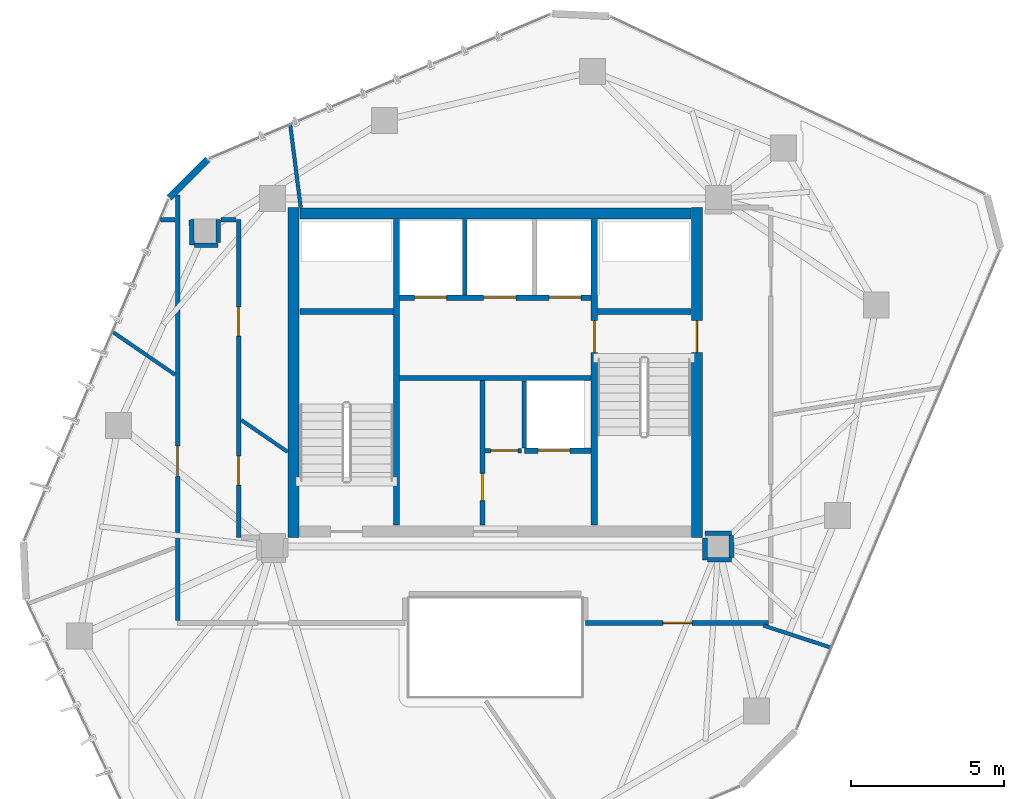
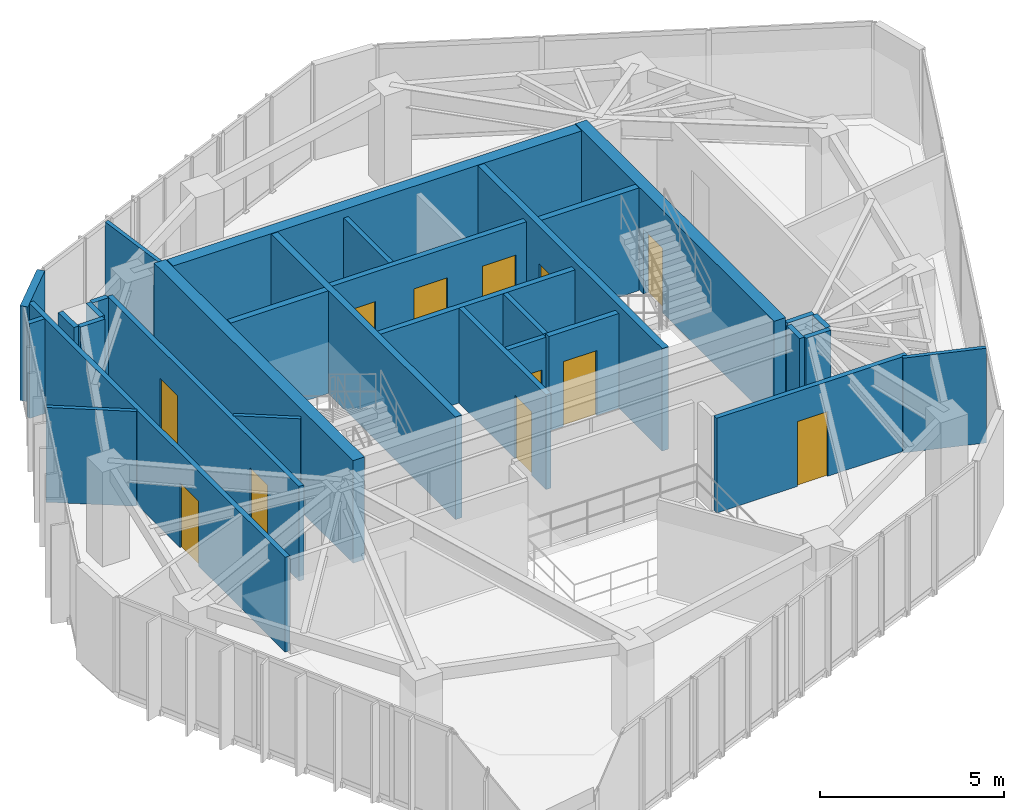
# One storey, part 17 of 20: 31 walls, 12 doors, 12 openings.
"""IFC4 building model written with IfcOpenShell, lengths in metres."""

import ifcopenshell
import ifcopenshell.guid

model = None  # the IFC model being written
_history = None  # IfcOwnerHistory: only IFC2X3 demands one
_inside = {}  # id of a spatial element -> (the spatial element, [elements in it])
_under = {}  # id of a project, library or spatial element -> (it, [spatial elements below it])
_declared = {}  # id of a project -> (the project, [libraries it declares])
_typed = {}  # id of a type object -> (the type object, [elements of that type])
_made_of = {}  # id of a material, layer set ... -> (it, [elements and type objects made of it])


def new_model(schema):
    """Start an empty IFC model of exactly this schema.

    Asked for "IFC4X3", IfcOpenShell would pick the latest addendum, in which some entities
    have other attributes; the version numbers below select the first issue.
    IFC2X3 requires an IfcOwnerHistory on every rooted entity: one is made here for all.
    """
    global model, _history
    if schema == "IFC4X3":
        model = ifcopenshell.file(schema_version=(4, 3, 0, 0))
    else:
        model = ifcopenshell.file(schema=schema)
    _inside.clear()
    _under.clear()
    _declared.clear()
    _typed.clear()
    _made_of.clear()
    _history = None
    if model.schema == "IFC2X3":
        org = make("IfcOrganization", Name="unknown")
        user = make(
            "IfcPersonAndOrganization",
            ThePerson=make("IfcPerson", FamilyName="unknown"),
            TheOrganization=org,
        )
        app = make(
            "IfcApplication",
            ApplicationDeveloper=org,
            Version="unknown",
            ApplicationFullName="unknown",
            ApplicationIdentifier="unknown",
        )
        _history = make(
            "IfcOwnerHistory",
            OwningUser=user,
            OwningApplication=app,
            ChangeAction="ADDED",
            CreationDate=0,
        )
    return model


def make(cls, **values):
    """One entity of the class cls with the attributes given. An attribute that is None is left unset."""
    return model.create_entity(
        cls, **{name: value for name, value in values.items() if value is not None}
    )


def rooted(cls, **values):
    """An entity with a GlobalId (a new one), such as an element, a storey or a relation."""
    return make(cls, GlobalId=ifcopenshell.guid.new(), OwnerHistory=_history, **values)


def si_unit(unit_type, name, prefix=None):
    """IfcSIUnit, for example si_unit("LENGTHUNIT", "METRE", prefix="MILLI")."""
    return make("IfcSIUnit", UnitType=unit_type, Prefix=prefix, Name=name)


def assignment(units):
    """IfcUnitAssignment: the units of a project."""
    return None if units is None else make("IfcUnitAssignment", Units=units)


def point(xyz):
    """IfcCartesianPoint."""
    return None if xyz is None else make("IfcCartesianPoint", Coordinates=xyz)


def direction(xyz):
    """IfcDirection."""
    return None if xyz is None else make("IfcDirection", DirectionRatios=xyz)


def frame(location, z_axis=None, x_axis=None):
    """IfcAxis2Placement3D, a coordinate frame: its origin and axes. An axis left out is left unset."""
    return make(
        "IfcAxis2Placement3D",
        Location=point(location),
        Axis=direction(z_axis),
        RefDirection=direction(x_axis),
    )


def frame_2d(location, x_axis=None):
    """IfcAxis2Placement2D, a coordinate frame in the plane: its origin and x axis."""
    return make(
        "IfcAxis2Placement2D", Location=point(location), RefDirection=direction(x_axis)
    )


def origin():
    """The frame at (0, 0, 0) with its axes left unset."""
    return frame((0.0, 0.0, 0.0))


def place(relative_to, where):
    """IfcLocalPlacement: puts the frame where relative to a parent placement (None: the world)."""
    return make(
        "IfcLocalPlacement", PlacementRelTo=relative_to, RelativePlacement=where
    )


def context(
    kind, dimensions, precision=None, world=None, true_north=None, identifier=None
):
    """IfcGeometricRepresentationContext, for example the 3D "Model" context."""
    return make(
        "IfcGeometricRepresentationContext",
        ContextIdentifier=identifier,
        ContextType=kind,
        CoordinateSpaceDimension=dimensions,
        Precision=precision,
        WorldCoordinateSystem=world,
        TrueNorth=true_north,
    )


def subcontext(parent, identifier, kind, view, scale=None):
    """IfcGeometricRepresentationSubContext, for example "Body" below "Model"."""
    return make(
        "IfcGeometricRepresentationSubContext",
        ContextIdentifier=identifier,
        ContextType=kind,
        ParentContext=parent,
        TargetScale=scale,
        TargetView=view,
    )


def project(units=None, contexts=None):
    """IfcProject with its units and contexts."""
    return rooted(
        "IfcProject",
        Name="project",
        RepresentationContexts=contexts,
        UnitsInContext=assignment(units),
    )


def spatial(cls, under=None, at=None, **own):
    """A site, building, storey or space (cls), placed at a placement, below another one or the project."""
    s = rooted(cls, ObjectPlacement=at, **own)
    if under is not None:
        _under.setdefault(under.id(), (under, []))[1].append(s)
    return s


def profile(cls, at=None, kind="AREA", **sizes):
    """A parametric profile (cls). Its sizes go by their IFC names, for example OverallWidth=200.0."""
    return make(cls, ProfileType=kind, Position=at, **sizes)


def rectangle(**sizes):
    """IfcRectangleProfileDef."""
    return profile("IfcRectangleProfileDef", **sizes)


def extrude(swept, where, along, depth):
    """IfcExtrudedAreaSolid: the profile swept, set in the frame where, extruded along a direction by depth."""
    return make(
        "IfcExtrudedAreaSolid",
        SweptArea=swept,
        Position=where,
        ExtrudedDirection=direction(along),
        Depth=depth,
    )


def shape(context_of_items, identifier, shape_type, items):
    """IfcShapeRepresentation: the items that make up one representation, for example the "Body"."""
    return make(
        "IfcShapeRepresentation",
        ContextOfItems=context_of_items,
        RepresentationIdentifier=identifier,
        RepresentationType=shape_type,
        Items=items,
    )


def source(mapping_origin, context_of_items, identifier, shape_type, items):
    """IfcRepresentationMap: a shape defined once, which mapped items show again and again."""
    return make(
        "IfcRepresentationMap",
        MappingOrigin=mapping_origin,
        MappedRepresentation=shape(context_of_items, identifier, shape_type, items),
    )


def transform(
    local_origin,
    x_axis=None,
    y_axis=None,
    z_axis=None,
    scale=None,
    scale2=None,
    scale3=None,
    uniform=True,
):
    """IfcCartesianTransformationOperator3D, or its non-uniform kind. x_axis, y_axis, z_axis: its Axis1, 2, 3."""
    if uniform:
        return make(
            "IfcCartesianTransformationOperator3D",
            Axis1=direction(x_axis),
            Axis2=direction(y_axis),
            LocalOrigin=point(local_origin),
            Scale=scale,
            Axis3=direction(z_axis),
        )
    return make(
        "IfcCartesianTransformationOperator3DnonUniform",
        Axis1=direction(x_axis),
        Axis2=direction(y_axis),
        LocalOrigin=point(local_origin),
        Scale=scale,
        Axis3=direction(z_axis),
        Scale2=scale2,
        Scale3=scale3,
    )


def mapped(mapping_source, mapping_target):
    """IfcMappedItem: shows the shape of a source again, moved by a transform."""
    return make(
        "IfcMappedItem", MappingSource=mapping_source, MappingTarget=mapping_target
    )


def material(Name=None, Category=None):
    """IfcMaterial."""
    return make("IfcMaterial", Name=Name, Category=Category)


def layer(
    of_material, thickness, ventilated=None, Name=None, Category=None, Priority=None
):
    """IfcMaterialLayer: one layer of a wall or slab, of a material (None: an air gap)."""
    return make(
        "IfcMaterialLayer",
        Material=of_material,
        LayerThickness=thickness,
        IsVentilated=ventilated,
        Name=Name,
        Category=Category,
        Priority=Priority,
    )


def layer_set(layers, Name=None):
    """IfcMaterialLayerSet."""
    return make("IfcMaterialLayerSet", MaterialLayers=layers, LayerSetName=Name)


def made_of(thing, what):
    """Note that an element or type object is made of a material, layer set ...; save() writes the relation."""
    if what is not None:
        _made_of.setdefault(what.id(), (what, []))[1].append(thing)
    return thing


def type_object(cls, material=None, **own):
    """A type object (cls), such as IfcWallType, which elements share."""
    return made_of(rooted(cls, **own), material)


def type_shapes(of_type, sources):
    """Give a type object the sources (RepresentationMaps) that its elements show as mapped items."""
    of_type.RepresentationMaps = sources


def element(
    cls,
    number,
    at=None,
    inside=None,
    cuts=None,
    type_object=None,
    material=None,
    context=None,
    identifier="Body",
    shape_type=None,
    held_by="IfcProductDefinitionShape",
    body=None,
    shapes=None,
    **own,
):
    """One element of the class cls, such as IfcWall. Its Tag is "e" and its number.

    at: its placement. inside: the storey or other place that contains it. cuts: it is an
    opening in that element (IfcRelVoidsElement). A single representation is given by context,
    identifier, shape_type and body (its items); several are given by shapes. held_by: the class
    of the entity that holds the representations. save() writes the other relations.
    """
    e = rooted(cls, Tag="e%d" % number, ObjectPlacement=at, **own)
    if body is not None:
        shapes = [shape(context, identifier, shape_type, body)]
    if shapes is not None:
        e.Representation = make(held_by, Representations=shapes)
    if inside is not None:
        _inside.setdefault(inside.id(), (inside, []))[1].append(e)
    if cuts is not None:
        rooted(
            "IfcRelVoidsElement", RelatingBuildingElement=cuts, RelatedOpeningElement=e
        )
    if type_object is not None:
        _typed.setdefault(type_object.id(), (type_object, []))[1].append(e)
    return made_of(e, material)


def fill(opening, filler):
    """IfcRelFillsElement: the door or window that sits in an opening."""
    return rooted(
        "IfcRelFillsElement",
        RelatingOpeningElement=opening,
        RelatedBuildingElement=filler,
    )


def aggregate(whole, parts):
    """IfcRelAggregates: a whole, such as a stair, and the parts it consists of."""
    return rooted("IfcRelAggregates", RelatingObject=whole, RelatedObjects=parts)


def save(model, path):
    """Write the relations noted so far, then the file.

    IfcRelAggregates (storeys below a building ...), IfcRelContainedInSpatialStructure (elements
    in a storey), IfcRelDefinesByType, IfcRelAssociatesMaterial and IfcRelDeclares: one each for
    every whole, place, type object, material and project.
    """
    for whole, parts in _under.values():
        aggregate(whole, parts)
    for where, things in _inside.values():
        rooted(
            "IfcRelContainedInSpatialStructure",
            RelatedElements=things,
            RelatingStructure=where,
        )
    for kind, things in _typed.values():
        rooted("IfcRelDefinesByType", RelatedObjects=things, RelatingType=kind)
    for what, things in _made_of.values():
        rooted("IfcRelAssociatesMaterial", RelatedObjects=things, RelatingMaterial=what)
    for by, libraries in _declared.values():
        rooted("IfcRelDeclares", RelatingContext=by, RelatedDefinitions=libraries)
    model.write(path)


model = new_model("IFC4")

# Units and contexts
model_context = context("Model", 3, precision=1e-05, world=origin(), true_north=direction((0.0, 1.0)))
body_context = subcontext(model_context, "Body", "Model", "MODEL_VIEW")
ifc_project = project(units=[si_unit("LENGTHUNIT", "METRE"), si_unit("AREAUNIT", "SQUARE_METRE"), si_unit("VOLUMEUNIT", "CUBIC_METRE"), si_unit("PLANEANGLEUNIT", "RADIAN"), si_unit("MASSUNIT", "GRAM", prefix="KILO")], contexts=[model_context])

# Site, building, storey
site_placement = place(None, origin())
site = spatial("IfcSite", under=ifc_project, at=site_placement, CompositionType="ELEMENT")
building_placement = place(site_placement, origin())
building = spatial("IfcBuilding", under=site, at=building_placement, Name="Talar Marvaseh", CompositionType="ELEMENT")
storey_placement = place(building_placement, frame((0.0, 0.0, 274.800048828125)))
storey = spatial("IfcBuildingStorey", under=building, at=storey_placement, Name="L73", CompositionType="ELEMENT", Elevation=274.800048828125)

# Wall
ifc_material_1 = material(Name="Precast concrete C45/55", Category="concrete")
ifc_layer_1 = layer(ifc_material_1, 0.22509765625)
ifc_layer_set_1 = layer_set([ifc_layer_1], Name="Precast concrete C45/55")
wall_type_1 = type_object("IfcWallType", Name="Chamfered Hexagonal Corner Pier Wall Z4 225", PredefinedType="SOLIDWALL", material=ifc_layer_set_1)
wall_1_placement = place(storey_placement, frame((15.32470703125, 36.916259765625, 0.0), z_axis=(0.0, 0.0, 1.0), x_axis=(0.707106781187, 0.707106781187, 0.0)))
element("IfcWall", 1, at=wall_1_placement, inside=storey, type_object=wall_type_1, Name="L73 Chamfered Corner Limestone Pier 3", PredefinedType="SOLIDWALL", context=body_context, shape_type="SweptSolid", body=[
    extrude(rectangle(XDim=1.780517578125, YDim=0.22509765625, at=frame_2d((0.89013671875, 0.0))), origin(), (0.0, 0.0, 1.0), 3.139892578125),
])

# Wall, opening, door
ifc_material_2 = material(Name="Gypsum Board Partition Assembly")
ifc_layer_2 = layer(ifc_material_2, 0.155029296875)
ifc_layer_set_2 = layer_set([ifc_layer_2], Name="Gypsum Board Partition Assembly")
wall_type_2 = type_object("IfcWallType", Name="Corridor Fire-Rated Acoustic Partition 155", PredefinedType="PARTITIONING", material=ifc_layer_set_2)
wall_2_placement = place(storey_placement, frame((25.580078125, 26.199951171875, 0.0), z_axis=(0.0, 0.0, 1.0), x_axis=(0.0, 1.0, 0.0)))
wall_2 = element("IfcWall", 2, at=wall_2_placement, inside=storey, type_object=wall_type_2, Name="L73 Core BOH Partition", PredefinedType="PARTITIONING", context=body_context, shape_type="SweptSolid", body=[
    extrude(rectangle(XDim=4.739990234375, YDim=0.155029296875, at=frame_2d((2.3701171875, 0.0))), origin(), (0.0, 0.0, 1.0), 3.139892578125),
])
opening_1_placement = place(wall_2_placement, frame((0.800048828125, 0.0, 0.0)))
opening_1 = element("IfcOpeningElement", 3, at=opening_1_placement, cuts=wall_2, Name="Opening DR-BOH090", PredefinedType="OPENING", context=body_context, shape_type="SweptSolid", body=[
    extrude(rectangle(XDim=0.89990234375, YDim=2.10009765625, at=frame_2d((0.449951171875, 1.050048828125))), frame((0.0, 0.08740234375, 0.0), z_axis=(0.0, -1.0, 0.0), x_axis=(1.0, 0.0, 0.0)), (0.0, 0.0, 1.0), 0.175048828125),
])
ifc_material_3 = material(Name="Fire-Rated Steel Door Leaf", Category="steel")
door_type_1 = type_object("IfcDoorType", Name="Core Back-of-House Service Door 900x2100", OperationType="NOTDEFINED", PredefinedType="DOOR", material=ifc_material_3)
shared_shape_1 = source(origin(), body_context, "Body", "SweptSolid", [
    extrude(rectangle(XDim=0.89990234375, YDim=2.10009765625, at=frame_2d((0.449951171875, 1.050048828125))), frame((0.0, 0.02490234375, 0.0), z_axis=(0.0, -1.0, 0.0), x_axis=(1.0, 0.0, 0.0)), (0.0, 0.0, 1.0), 0.050048828125),
])
type_shapes(door_type_1, [shared_shape_1])
door_1_placement = place(opening_1_placement, origin())
door_1 = element("IfcDoor", 4, at=door_1_placement, inside=storey, type_object=door_type_1, Name="L73 Store Sky Extended Archive Room Door", OperationType="SINGLE_SWING_LEFT", OverallHeight=2.10009765625, OverallWidth=0.89990234375, PredefinedType="DOOR", context=body_context, shape_type="MappedRepresentation", body=[
    mapped(shared_shape_1, transform((0.0, 0.0, 0.0), x_axis=(1.0, 0.0, 0.0), y_axis=(0.0, 1.0, 0.0), z_axis=(0.0, 0.0, 1.0), scale=1.0)),
])
fill(opening_1, door_1)

wall_3_placement = place(storey_placement, frame((25.66357421875, 28.639892578125, 0.0), z_axis=(0.0, 0.0, 1.0), x_axis=(1.0, 0.0, 0.0)))
wall_3 = element("IfcWall", 5, at=wall_3_placement, inside=storey, type_object=wall_type_2, Name="L73 Core BOH Partition", PredefinedType="PARTITIONING", context=body_context, shape_type="SweptSolid", body=[
    extrude(rectangle(XDim=1.196533203125, YDim=0.155029296875, at=frame_2d((0.59814453125, 0.0))), origin(), (0.0, 0.0, 1.0), 3.139892578125),
])
opening_2_placement = place(wall_3_placement, frame((0.179931640625, 0.0, 0.0)))
opening_2 = element("IfcOpeningElement", 6, at=opening_2_placement, cuts=wall_3, Name="Opening DR-BOH090", PredefinedType="OPENING", context=body_context, shape_type="SweptSolid", body=[
    extrude(rectangle(XDim=0.89990234375, YDim=2.10009765625, at=frame_2d((0.449951171875, 1.050048828125))), frame((0.0, 0.08740234375, 0.0), z_axis=(0.0, -1.0, 0.0), x_axis=(1.0, 0.0, 0.0)), (0.0, 0.0, 1.0), 0.175048828125),
])
door_2_placement = place(opening_2_placement, origin())
door_2 = element("IfcDoor", 7, at=door_2_placement, inside=storey, type_object=door_type_1, Name="L73 Cleaner Sky Closet Door", OperationType="SINGLE_SWING_RIGHT", OverallHeight=2.10009765625, OverallWidth=0.89990234375, PredefinedType="DOOR", context=body_context, shape_type="MappedRepresentation", body=[
    mapped(shared_shape_1, transform((0.0, 0.0, 0.0), x_axis=(1.0, 0.0, 0.0), y_axis=(0.0, 1.0, 0.0), z_axis=(0.0, 0.0, 1.0), scale=1.0)),
])
fill(opening_2, door_2)

# Wall, openings, doors
wall_4_placement = place(storey_placement, frame((17.60009765625, 36.199951171875, 0.0), z_axis=(0.0, 0.0, 1.0), x_axis=(0.0, -1.0, 0.0)))
wall_4 = element("IfcWall", 8, at=wall_4_placement, inside=storey, type_object=wall_type_2, Name="L73 Interior Partition Wall", PredefinedType="PARTITIONING", context=body_context, shape_type="SweptSolid", body=[
    extrude(rectangle(XDim=10.39990234375, YDim=0.155029296875, at=frame_2d((5.199951171875, 0.0))), origin(), (0.0, 0.0, 1.0), 3.139892578125),
])
opening_3_placement = place(wall_4_placement, frame((2.861572265625, 0.0, 0.0)))
opening_3 = element("IfcOpeningElement", 9, at=opening_3_placement, cuts=wall_4, Name="Opening DR-WC095", PredefinedType="OPENING", context=body_context, shape_type="SweptSolid", body=[
    extrude(rectangle(XDim=0.949951171875, YDim=2.14990234375, at=frame_2d((0.47509765625, 1.074951171875))), frame((0.0, 0.08740234375, 0.0), z_axis=(0.0, -1.0, 0.0), x_axis=(1.0, 0.0, 0.0)), (0.0, 0.0, 1.0), 0.175048828125),
])
opening_4_placement = place(wall_4_placement, frame((7.74072265625, 0.0, 0.0)))
opening_4 = element("IfcOpeningElement", 10, at=opening_4_placement, cuts=wall_4, Name="Opening DR-WC095", PredefinedType="OPENING", context=body_context, shape_type="SweptSolid", body=[
    extrude(rectangle(XDim=0.949951171875, YDim=2.14990234375, at=frame_2d((0.47509765625, 1.074951171875))), frame((0.0, 0.08740234375, 0.0), z_axis=(0.0, -1.0, 0.0), x_axis=(1.0, 0.0, 0.0)), (0.0, 0.0, 1.0), 0.175048828125),
])
ifc_material_4 = material(Name="Acoustic Engineered Oak Timber", Category="wood")
door_type_2 = type_object("IfcDoorType", Name="Washroom and Service Room Door 950x2150", OperationType="NOTDEFINED", PredefinedType="DOOR", material=ifc_material_4)
shared_shape_2 = source(origin(), body_context, "Body", "SweptSolid", [
    extrude(rectangle(XDim=0.949951171875, YDim=2.14990234375, at=frame_2d((0.47509765625, 1.074951171875))), frame((0.0, 0.02490234375, 0.0), z_axis=(0.0, -1.0, 0.0), x_axis=(1.0, 0.0, 0.0)), (0.0, 0.0, 1.0), 0.050048828125),
])
type_shapes(door_type_2, [shared_shape_2])
door_3_placement = place(opening_3_placement, origin())
door_3 = element("IfcDoor", 11, at=door_3_placement, inside=storey, type_object=door_type_2, Name="L73 Accessible WC Door", OperationType="SINGLE_SWING_RIGHT", OverallHeight=2.14990234375, OverallWidth=0.949951171875, PredefinedType="DOOR", context=body_context, shape_type="MappedRepresentation", body=[
    mapped(shared_shape_2, transform((0.0, 0.0, 0.0), x_axis=(1.0, 0.0, 0.0), y_axis=(0.0, 1.0, 0.0), z_axis=(0.0, 0.0, 1.0), scale=1.0)),
])
fill(opening_3, door_3)
door_4_placement = place(opening_4_placement, origin())
door_4 = element("IfcDoor", 12, at=door_4_placement, inside=storey, type_object=door_type_2, Name="L73 WC Public Washrooms Door", OperationType="SINGLE_SWING_LEFT", OverallHeight=2.14990234375, OverallWidth=0.949951171875, PredefinedType="DOOR", context=body_context, shape_type="MappedRepresentation", body=[
    mapped(shared_shape_2, transform((0.0, 0.0, 0.0), x_axis=(1.0, 0.0, 0.0), y_axis=(0.0, 1.0, 0.0), z_axis=(0.0, 0.0, 1.0), scale=1.0)),
])
fill(opening_4, door_4)

# Wall, opening, door
wall_5_placement = place(storey_placement, frame((34.9365234375, 23.0, 0.0), z_axis=(0.0, 0.0, 1.0), x_axis=(-1.0, 0.0, 0.0)))
wall_5 = element("IfcWall", 13, at=wall_5_placement, inside=storey, type_object=wall_type_2, Name="L73 Interior Partition Wall", PredefinedType="PARTITIONING", context=body_context, shape_type="SweptSolid", body=[
    extrude(rectangle(XDim=5.9765625, YDim=0.155029296875, at=frame_2d((2.98828125, 0.0))), origin(), (0.0, 0.0, 1.0), 3.139892578125),
])
opening_5_placement = place(wall_5_placement, frame((2.497314453125, 0.0, 0.0)))
opening_5 = element("IfcOpeningElement", 14, at=opening_5_placement, cuts=wall_5, Name="Opening DR-WC095", PredefinedType="OPENING", context=body_context, shape_type="SweptSolid", body=[
    extrude(rectangle(XDim=0.949951171875, YDim=2.14990234375, at=frame_2d((0.47509765625, 1.074951171875))), frame((0.0, 0.08740234375, 0.0), z_axis=(0.0, -1.0, 0.0), x_axis=(1.0, 0.0, 0.0)), (0.0, 0.0, 1.0), 0.175048828125),
])
door_5_placement = place(opening_5_placement, origin())
door_5 = element("IfcDoor", 15, at=door_5_placement, inside=storey, type_object=door_type_2, Name="L73 Hospitality Tea Pantry Door", OperationType="SINGLE_SWING_LEFT", OverallHeight=2.14990234375, OverallWidth=0.949951171875, PredefinedType="DOOR", context=body_context, shape_type="MappedRepresentation", body=[
    mapped(shared_shape_2, transform((0.0, 0.0, 0.0), x_axis=(1.0, 0.0, 0.0), y_axis=(0.0, 1.0, 0.0), z_axis=(0.0, 0.0, 1.0), scale=1.0)),
])
fill(opening_5, door_5)

wall_6_placement = place(storey_placement, frame((15.60009765625, 23.08349609375, 0.0), z_axis=(0.0, 0.0, 1.0), x_axis=(0.0, 1.0, 0.0)))
wall_6 = element("IfcWall", 16, at=wall_6_placement, inside=storey, type_object=wall_type_2, Name="L73 Interior Partition Wall", PredefinedType="PARTITIONING", context=body_context, shape_type="SweptSolid", body=[
    extrude(rectangle(XDim=13.9228515625, YDim=0.155029296875, at=frame_2d((6.96142578125, 0.0))), origin(), (0.0, 0.0, 1.0), 3.139892578125),
])
opening_6_placement = place(wall_6_placement, frame((4.713134765625, 0.0, 0.0)))
opening_6 = element("IfcOpeningElement", 17, at=opening_6_placement, cuts=wall_6, Name="Opening DR-RM100", PredefinedType="OPENING", context=body_context, shape_type="SweptSolid", body=[
    extrude(rectangle(XDim=1.0, YDim=2.14990234375, at=frame_2d((0.5, 1.074951171875))), frame((0.0, 0.08740234375, 0.0), z_axis=(0.0, -1.0, 0.0), x_axis=(1.0, 0.0, 0.0)), (0.0, 0.0, 1.0), 0.175048828125),
])
door_type_3 = type_object("IfcDoorType", Name="Corridor Fire-Rated Gallery Door 1000x2150", OperationType="NOTDEFINED", PredefinedType="DOOR", material=ifc_material_4)
shared_shape_3 = source(origin(), body_context, "Body", "SweptSolid", [
    extrude(rectangle(XDim=1.0, YDim=2.14990234375, at=frame_2d((0.5, 1.074951171875))), frame((0.0, 0.02490234375, 0.0), z_axis=(0.0, -1.0, 0.0), x_axis=(1.0, 0.0, 0.0)), (0.0, 0.0, 1.0), 0.050048828125),
])
type_shapes(door_type_3, [shared_shape_3])
door_6_placement = place(opening_6_placement, origin())
door_6 = element("IfcDoor", 18, at=door_6_placement, inside=storey, type_object=door_type_3, Name="L73 Archival Facsimile Boutique Door", OperationType="SINGLE_SWING_RIGHT", OverallHeight=2.14990234375, OverallWidth=1.0, PredefinedType="DOOR", context=body_context, shape_type="MappedRepresentation", body=[
    mapped(shared_shape_3, transform((0.0, 0.0, 0.0), x_axis=(1.0, 0.0, 0.0), y_axis=(0.0, 1.0, 0.0), z_axis=(0.0, 0.0, 1.0), scale=1.0)),
])
fill(opening_6, door_6)

# Walls
wall_7_placement = place(storey_placement, frame((16.053955078125, 36.199951171875, 0.0), z_axis=(0.0, 0.0, 1.0), x_axis=(0.018168161375, -0.999834945335, 0.0)))
element("IfcWall", 19, at=wall_7_placement, inside=storey, type_object=wall_type_2, Name="L73 Interior Partition Wall", PredefinedType="PARTITIONING", context=body_context, shape_type="SweptSolid", body=[
    extrude(rectangle(XDim=0.833251953125, YDim=0.155029296875, at=frame_2d((0.41650390625, 0.0))), origin(), (0.0, 0.0, 1.0), 3.139892578125),
])
wall_8_placement = place(storey_placement, frame((16.152587890625, 35.3671875, 0.0), z_axis=(0.0, 0.0, 1.0), x_axis=(0.999997558852, 0.002209590566, 0.0)))
element("IfcWall", 20, at=wall_8_placement, inside=storey, type_object=wall_type_2, Name="L73 Interior Partition Wall", PredefinedType="PARTITIONING", context=body_context, shape_type="SweptSolid", body=[
    extrude(rectangle(XDim=0.7734375, YDim=0.155029296875, at=frame_2d((0.38671875, 0.0))), origin(), (0.0, 0.0, 1.0), 3.139892578125),
])
wall_9_placement = place(storey_placement, frame((16.927001953125, 35.452392578125, 0.0), z_axis=(0.0, 0.0, 1.0), x_axis=(0.009470509294, 0.999955153721, 0.0)))
element("IfcWall", 21, at=wall_9_placement, inside=storey, type_object=wall_type_2, Name="L73 Interior Partition Wall", PredefinedType="PARTITIONING", context=body_context, shape_type="SweptSolid", body=[
    extrude(rectangle(XDim=0.74755859375, YDim=0.155029296875, at=frame_2d((0.373779296875, 0.0))), origin(), (0.0, 0.0, 1.0), 3.139892578125),
])
wall_10_placement = place(storey_placement, frame((17.017578125, 36.199951171875, 0.0), z_axis=(0.0, 0.0, 1.0), x_axis=(1.0, 0.0, 0.0)))
element("IfcWall", 22, at=wall_10_placement, inside=storey, type_object=wall_type_2, Name="L73 Interior Partition Wall", PredefinedType="PARTITIONING", context=body_context, shape_type="SweptSolid", body=[
    extrude(rectangle(XDim=0.4990234375, YDim=0.155029296875, at=frame_2d((0.24951171875, 0.0))), origin(), (0.0, 0.0, 1.0), 3.139892578125),
])
wall_11_placement = place(storey_placement, frame((15.0419921875, 36.199951171875, 0.0), z_axis=(0.0, 0.0, 1.0), x_axis=(1.0, 0.0, 0.0)))
element("IfcWall", 23, at=wall_11_placement, inside=storey, type_object=wall_type_2, Name="L73 Interior Partition Wall", PredefinedType="PARTITIONING", context=body_context, shape_type="SweptSolid", body=[
    extrude(rectangle(XDim=0.474609375, YDim=0.155029296875, at=frame_2d((0.2373046875, 0.0))), origin(), (0.0, 0.0, 1.0), 3.139892578125),
])
wall_12_placement = place(storey_placement, frame((33.72509765625, 25.93994140625, 0.0), z_axis=(0.0, 0.0, 1.0), x_axis=(-0.999986790873, -0.005139852152, 0.0)))
element("IfcWall", 24, at=wall_12_placement, inside=storey, type_object=wall_type_2, Name="L73 Interior Partition Wall", PredefinedType="PARTITIONING", context=body_context, shape_type="SweptSolid", body=[
    extrude(rectangle(XDim=0.85498046875, YDim=0.155029296875, at=frame_2d((0.427490234375, 0.0))), origin(), (0.0, 0.0, 1.0), 3.139892578125),
])
wall_13_placement = place(storey_placement, frame((32.864501953125, 25.772705078125, 0.0), z_axis=(0.0, 0.0, 1.0), x_axis=(0.0, -1.0, 0.0)))
element("IfcWall", 25, at=wall_13_placement, inside=storey, type_object=wall_type_2, Name="L73 Interior Partition Wall", PredefinedType="PARTITIONING", context=body_context, shape_type="SweptSolid", body=[
    extrude(rectangle(XDim=0.708251953125, YDim=0.155029296875, at=frame_2d((0.35400390625, 0.0))), origin(), (0.0, 0.0, 1.0), 3.139892578125),
])
wall_14_placement = place(storey_placement, frame((32.947998046875, 25.064453125, 0.0), z_axis=(0.0, 0.0, 1.0), x_axis=(1.0, 0.0, 0.0)))
element("IfcWall", 26, at=wall_14_placement, inside=storey, type_object=wall_type_2, Name="L73 Interior Partition Wall", PredefinedType="PARTITIONING", context=body_context, shape_type="SweptSolid", body=[
    extrude(rectangle(XDim=0.78759765625, YDim=0.155029296875, at=frame_2d((0.393798828125, 0.0))), origin(), (0.0, 0.0, 1.0), 3.139892578125),
])
wall_15_placement = place(storey_placement, frame((33.734619140625, 25.14794921875, 0.0), z_axis=(0.0, 0.0, 1.0), x_axis=(-0.012059770759, 0.99992727832, 0.0)))
element("IfcWall", 27, at=wall_15_placement, inside=storey, type_object=wall_type_2, Name="L73 Interior Partition Wall", PredefinedType="PARTITIONING", context=body_context, shape_type="SweptSolid", body=[
    extrude(rectangle(XDim=0.70849609375, YDim=0.155029296875, at=frame_2d((0.354248046875, 0.0))), origin(), (0.0, 0.0, 1.0), 3.139892578125),
])
ifc_layer_3 = layer(ifc_material_2, 0.1201171875)
ifc_layer_set_3 = layer_set([ifc_layer_3], Name="Gypsum Board Partition Assembly")
wall_type_3 = type_object("IfcWallType", Name="Demountable Studio Room Partition 120", PredefinedType="PARTITIONING", material=ifc_layer_set_3)
wall_16_placement = place(storey_placement, frame((34.775146484375, 22.91650390625, 0.0), z_axis=(0.0, 0.0, 1.0), x_axis=(0.95031602215, -0.311286777818, 0.0)))
element("IfcWall", 28, at=wall_16_placement, inside=storey, type_object=wall_type_3, Name="L73 Interior Partition Wall", PredefinedType="PARTITIONING", context=body_context, shape_type="SweptSolid", body=[
    extrude(rectangle(XDim=2.314453125, YDim=0.1201171875, at=frame_2d((1.1572265625, 0.0))), origin(), (0.0, 0.0, 1.0), 3.139892578125),
])
wall_17_placement = place(storey_placement, frame((19.6298828125, 36.60009765625, 0.0), z_axis=(0.0, 0.0, 1.0), x_axis=(-0.125957110435, 0.992035688033, 0.0)))
element("IfcWall", 29, at=wall_17_placement, inside=storey, type_object=wall_type_3, Name="L73 Interior Partition Wall", PredefinedType="PARTITIONING", context=body_context, shape_type="SweptSolid", body=[
    extrude(rectangle(XDim=2.719482421875, YDim=0.1201171875, at=frame_2d((1.35986328125, 0.0))), origin(), (0.0, 0.0, 1.0), 3.139892578125),
])
wall_18_placement = place(storey_placement, frame((19.199951171875, 28.60009765625, 0.0), z_axis=(0.0, 0.0, 1.0), x_axis=(-0.82404579534, 0.566523192095, 0.0)))
element("IfcWall", 30, at=wall_18_placement, inside=storey, type_object=wall_type_3, Name="L73 Interior Partition Wall", PredefinedType="PARTITIONING", context=body_context, shape_type="SweptSolid", body=[
    extrude(rectangle(XDim=1.840087890625, YDim=0.1201171875, at=frame_2d((0.919921875, 0.0))), origin(), (0.0, 0.0, 1.0), 3.139892578125),
])
wall_19_placement = place(storey_placement, frame((15.5166015625, 31.127197265625, 0.0), z_axis=(0.0, 0.0, 1.0), x_axis=(-0.824917812637, 0.565252688976, 0.0)))
element("IfcWall", 31, at=wall_19_placement, inside=storey, type_object=wall_type_3, Name="L73 Interior Partition Wall", PredefinedType="PARTITIONING", context=body_context, shape_type="SweptSolid", body=[
    extrude(rectangle(XDim=2.46142578125, YDim=0.1201171875, at=frame_2d((1.230712890625, 0.0))), origin(), (0.0, 0.0, 1.0), 3.139892578125),
])
ifc_layer_4 = layer(ifc_material_1, 0.14501953125)
ifc_layer_set_4 = layer_set([ifc_layer_4], Name="Precast concrete C45/55")
wall_type_4 = type_object("IfcWallType", Name="Fire-Rated Lift Divider Wall 145", PredefinedType="SOLIDWALL", material=ifc_layer_set_4)
wall_20_placement = place(storey_placement, frame((25.0, 33.743408203125, 0.0), z_axis=(0.0, 0.0, 1.0), x_axis=(0.0, 1.0, 0.0)))
element("IfcWall", 32, at=wall_20_placement, inside=storey, type_object=wall_type_4, Name="L73 FFL-1/FFL-2 Divider", PredefinedType="SOLIDWALL", context=body_context, shape_type="SweptSolid", body=[
    extrude(rectangle(XDim=2.45654296875, YDim=0.14501953125, at=frame_2d((1.228271484375, 0.0))), origin(), (0.0, 0.0, 1.0), 3.139892578125),
])
wall_21_placement = place(storey_placement, frame((26.949951171875, 28.7333984375, 0.0), z_axis=(0.0, 0.0, 1.0), x_axis=(0.0, 1.0, 0.0)))
element("IfcWall", 33, at=wall_21_placement, inside=storey, type_object=wall_type_4, Name="L73 PL-H3 West Shaft Wall", PredefinedType="SOLIDWALL", context=body_context, shape_type="SweptSolid", body=[
    extrude(rectangle(XDim=2.193115234375, YDim=0.14501953125, at=frame_2d((1.0966796875, 0.0))), origin(), (0.0, 0.0, 1.0), 3.139892578125),
])

# Wall, openings, doors
ifc_layer_5 = layer(ifc_material_1, 0.175048828125)
ifc_layer_set_5 = layer_set([ifc_layer_5], Name="Precast concrete C45/55")
wall_type_5 = type_object("IfcWallType", Name="Fire-Rated Lift Hoistway Enclosure Wall 175", PredefinedType="SOLIDWALL", material=ifc_layer_set_5)
wall_22_placement = place(storey_placement, frame((22.860107421875, 33.64990234375, 0.0), z_axis=(0.0, 0.0, 1.0), x_axis=(1.0, 0.0, 0.0)))
wall_22 = element("IfcWall", 34, at=wall_22_placement, inside=storey, type_object=wall_type_5, Name="L73 Firefighting and Service Lift Front Wall", PredefinedType="SOLIDWALL", context=body_context, shape_type="SweptSolid", body=[
    extrude(rectangle(XDim=6.27978515625, YDim=0.175048828125, at=frame_2d((3.139892578125, 0.0))), origin(), (0.0, 0.0, 1.0), 3.139892578125),
])
opening_7_placement = place(wall_22_placement, frame((0.5, 0.0, 0.0)))
opening_7 = element("IfcOpeningElement", 35, at=opening_7_placement, cuts=wall_22, Name="Opening LD-FF1", PredefinedType="OPENING", context=body_context, shape_type="SweptSolid", body=[
    extrude(rectangle(XDim=1.050048828125, YDim=2.14990234375, at=frame_2d((0.52490234375, 1.074951171875))), frame((0.0, 0.09765625, 0.0), z_axis=(0.0, -1.0, 0.0), x_axis=(1.0, 0.0, 0.0)), (0.0, 0.0, 1.0), 0.195068359375),
])
opening_8_placement = place(wall_22_placement, frame((2.760009765625, 0.0, 0.0)))
opening_8 = element("IfcOpeningElement", 36, at=opening_8_placement, cuts=wall_22, Name="Opening LD-FF2", PredefinedType="OPENING", context=body_context, shape_type="SweptSolid", body=[
    extrude(rectangle(XDim=1.050048828125, YDim=2.14990234375, at=frame_2d((0.52490234375, 1.074951171875))), frame((0.0, 0.09765625, 0.0), z_axis=(0.0, -1.0, 0.0), x_axis=(1.0, 0.0, 0.0)), (0.0, 0.0, 1.0), 0.195068359375),
])
opening_9_placement = place(wall_22_placement, frame((4.89990234375, 0.0, 0.0)))
opening_9 = element("IfcOpeningElement", 37, at=opening_9_placement, cuts=wall_22, Name="Opening LD-SV1", PredefinedType="OPENING", context=body_context, shape_type="SweptSolid", body=[
    extrude(rectangle(XDim=1.050048828125, YDim=2.14990234375, at=frame_2d((0.52490234375, 1.074951171875))), frame((0.0, 0.09765625, 0.0), z_axis=(0.0, -1.0, 0.0), x_axis=(1.0, 0.0, 0.0)), (0.0, 0.0, 1.0), 0.195068359375),
])
ifc_material_5 = material(Name="Stainless Steel Grade 316", Category="steel")
door_type_4 = type_object("IfcDoorType", Name="Automatic Sliding Lift Landing Door 1050x2150", OperationType="NOTDEFINED", PredefinedType="DOOR", material=ifc_material_5)
shared_shape_4 = source(origin(), body_context, "Body", "SweptSolid", [
    extrude(rectangle(XDim=1.050048828125, YDim=2.14990234375, at=frame_2d((0.52490234375, 1.074951171875))), frame((0.0, 0.02490234375, 0.0), z_axis=(0.0, -1.0, 0.0), x_axis=(1.0, 0.0, 0.0)), (0.0, 0.0, 1.0), 0.050048828125),
])
type_shapes(door_type_4, [shared_shape_4])
door_7_placement = place(opening_7_placement, origin())
door_7 = element("IfcDoor", 38, at=door_7_placement, inside=storey, type_object=door_type_4, Name="L73 Lift FFL-1 Sliding Landing Door", OperationType="SLIDING_TO_LEFT", OverallHeight=2.14990234375, OverallWidth=1.050048828125, PredefinedType="DOOR", context=body_context, shape_type="MappedRepresentation", body=[
    mapped(shared_shape_4, transform((0.0, 0.0, 0.0), x_axis=(1.0, 0.0, 0.0), y_axis=(0.0, 1.0, 0.0), z_axis=(0.0, 0.0, 1.0), scale=1.0)),
])
fill(opening_7, door_7)
door_8_placement = place(opening_8_placement, origin())
door_8 = element("IfcDoor", 39, at=door_8_placement, inside=storey, type_object=door_type_4, Name="L73 Lift FFL-2 Sliding Landing Door", OperationType="SLIDING_TO_LEFT", OverallHeight=2.14990234375, OverallWidth=1.050048828125, PredefinedType="DOOR", context=body_context, shape_type="MappedRepresentation", body=[
    mapped(shared_shape_4, transform((0.0, 0.0, 0.0), x_axis=(1.0, 0.0, 0.0), y_axis=(0.0, 1.0, 0.0), z_axis=(0.0, 0.0, 1.0), scale=1.0)),
])
fill(opening_8, door_8)
door_9_placement = place(opening_9_placement, origin())
door_9 = element("IfcDoor", 40, at=door_9_placement, inside=storey, type_object=door_type_4, Name="L73 Lift SVL-1 Sliding Landing Door", OperationType="SLIDING_TO_LEFT", OverallHeight=2.14990234375, OverallWidth=1.050048828125, PredefinedType="DOOR", context=body_context, shape_type="MappedRepresentation", body=[
    mapped(shared_shape_4, transform((0.0, 0.0, 0.0), x_axis=(1.0, 0.0, 0.0), y_axis=(0.0, 1.0, 0.0), z_axis=(0.0, 0.0, 1.0), scale=1.0)),
])
fill(opening_9, door_9)

# Wall
wall_23_placement = place(storey_placement, frame((22.860107421875, 31.02001953125, 0.0), z_axis=(0.0, 0.0, 1.0), x_axis=(1.0, 0.0, 0.0)))
element("IfcWall", 41, at=wall_23_placement, inside=storey, type_object=wall_type_5, Name="L73 Firefighting Lobby South Smoke Wall", PredefinedType="SOLIDWALL", context=body_context, shape_type="SweptSolid", body=[
    extrude(rectangle(XDim=6.27978515625, YDim=0.175048828125, at=frame_2d((3.139892578125, 0.0))), origin(), (0.0, 0.0, 1.0), 3.139892578125),
])

# Wall, opening, door
wall_24_placement = place(storey_placement, frame((26.949951171875, 28.639892578125, 0.0), z_axis=(0.0, 0.0, 1.0), x_axis=(1.0, 0.0, 0.0)))
wall_24 = element("IfcWall", 42, at=wall_24_placement, inside=storey, type_object=wall_type_5, Name="L73 Sky Express Lift Front Wall", PredefinedType="SOLIDWALL", context=body_context, shape_type="SweptSolid", body=[
    extrude(rectangle(XDim=2.18994140625, YDim=0.175048828125, at=frame_2d((1.094970703125, 0.0))), origin(), (0.0, 0.0, 1.0), 3.139892578125),
])
opening_10_placement = place(wall_24_placement, frame((0.449951171875, 0.0, 0.0)))
opening_10 = element("IfcOpeningElement", 43, at=opening_10_placement, cuts=wall_24, Name="Opening LD-PLH3", PredefinedType="OPENING", context=body_context, shape_type="SweptSolid", body=[
    extrude(rectangle(XDim=1.050048828125, YDim=2.14990234375, at=frame_2d((0.52490234375, 1.074951171875))), frame((0.0, 0.09765625, 0.0), z_axis=(0.0, -1.0, 0.0), x_axis=(1.0, 0.0, 0.0)), (0.0, 0.0, 1.0), 0.195068359375),
])
door_10_placement = place(opening_10_placement, origin())
door_10 = element("IfcDoor", 44, at=door_10_placement, inside=storey, type_object=door_type_4, Name="L73 Lift PL-H3 Sliding Landing Door", OperationType="SLIDING_TO_LEFT", OverallHeight=2.14990234375, OverallWidth=1.050048828125, PredefinedType="DOOR", context=body_context, shape_type="MappedRepresentation", body=[
    mapped(shared_shape_4, transform((0.0, 0.0, 0.0), x_axis=(1.0, 0.0, 0.0), y_axis=(0.0, 1.0, 0.0), z_axis=(0.0, 0.0, 1.0), scale=1.0)),
])
fill(opening_10, door_10)

# Wall
ifc_material_6 = material(Name="Concrete C50/60", Category="concrete")
ifc_layer_6 = layer(ifc_material_6, 0.199951171875)
ifc_layer_set_6 = layer_set([ifc_layer_6], Name="Concrete C50/60")
wall_type_6 = type_object("IfcWallType", Name="Stair Shaft Structural Concrete Shear Wall 200", PredefinedType="SHEAR", material=ifc_layer_set_6)
wall_25_placement = place(storey_placement, frame((22.760009765625, 26.199951171875, 0.0), z_axis=(0.0, 0.0, 1.0), x_axis=(0.0, 1.0, 0.0)))
element("IfcWall", 45, at=wall_25_placement, inside=storey, type_object=wall_type_6, Name="L73 Core West Stair Shear Wall", PredefinedType="SHEAR", context=body_context, shape_type="SweptSolid", body=[
    extrude(rectangle(XDim=10.0, YDim=0.199951171875, at=frame_2d((5.0, 0.0))), origin(), (0.0, 0.0, 1.0), 3.39990234375),
])

# Wall, opening, door
wall_26_placement = place(storey_placement, frame((29.239990234375, 26.199951171875, 0.0), z_axis=(0.0, 0.0, 1.0), x_axis=(0.0, 1.0, 0.0)))
wall_26 = element("IfcWall", 46, at=wall_26_placement, inside=storey, type_object=wall_type_6, Name="L73 Core East Stair Shear Wall", PredefinedType="SHEAR", context=body_context, shape_type="SweptSolid", body=[
    extrude(rectangle(XDim=10.0, YDim=0.199951171875, at=frame_2d((5.0, 0.0))), origin(), (0.0, 0.0, 1.0), 3.39990234375),
])
opening_11_placement = place(wall_26_placement, frame((5.64990234375, 0.0, 0.0)))
opening_11 = element("IfcOpeningElement", 47, at=opening_11_placement, cuts=wall_26, Name="Opening DR-ST105", PredefinedType="OPENING", context=body_context, shape_type="SweptSolid", body=[
    extrude(rectangle(XDim=1.050048828125, YDim=2.14990234375, at=frame_2d((0.52490234375, 1.074951171875))), frame((0.0, 0.10986328125, 0.0), z_axis=(0.0, -1.0, 0.0), x_axis=(1.0, 0.0, 0.0)), (0.0, 0.0, 1.0), 0.219970703125),
])
door_type_5 = type_object("IfcDoorType", Name="Protected Exit Stair Fire Door 1050x2150", OperationType="NOTDEFINED", PredefinedType="DOOR", material=ifc_material_3)
shared_shape_5 = source(origin(), body_context, "Body", "SweptSolid", [
    extrude(rectangle(XDim=1.050048828125, YDim=2.14990234375, at=frame_2d((0.52490234375, 1.074951171875))), frame((0.0, 0.02490234375, 0.0), z_axis=(0.0, -1.0, 0.0), x_axis=(1.0, 0.0, 0.0)), (0.0, 0.0, 1.0), 0.050048828125),
])
type_shapes(door_type_5, [shared_shape_5])
door_11_placement = place(opening_11_placement, origin())
door_11 = element("IfcDoor", 48, at=door_11_placement, inside=storey, type_object=door_type_5, Name="L73 Firefighting Lobby to Stair ST-2 Door", OperationType="SINGLE_SWING_LEFT", OverallHeight=2.14990234375, OverallWidth=1.050048828125, PredefinedType="DOOR", context=body_context, shape_type="MappedRepresentation", body=[
    mapped(shared_shape_5, transform((0.0, 0.0, 0.0), x_axis=(1.0, 0.0, 0.0), y_axis=(0.0, 1.0, 0.0), z_axis=(0.0, 0.0, 1.0), scale=1.0)),
])
fill(opening_11, door_11)

# Walls
for number, where, z_axis, x_axis, name in (
    (49, (19.60009765625, 33.199951171875, 0.0), (0.0, 0.0, 1.0), (1.0, 0.0, 0.0), "L73 Stair ST-1 North Shear Wall"),
    (50, (29.340087890625, 33.199951171875, 0.0), (0.0, 0.0, 1.0), (1.0, 0.0, 0.0), "L73 Stair ST-2 North Shear Wall"),
):
    element("IfcWall", number, at=place(storey_placement, frame(where, z_axis=z_axis, x_axis=x_axis)), inside=storey, type_object=wall_type_6, Name=name, PredefinedType="SHEAR", context=body_context, shape_type="SweptSolid", body=[
        extrude(rectangle(XDim=3.059814453125, YDim=0.199951171875, at=frame_2d((1.52978515625, 0.0))), origin(), (0.0, 0.0, 1.0), 3.39990234375),
    ])
ifc_layer_7 = layer(ifc_material_6, 0.360107421875)
ifc_layer_set_7 = layer_set([ifc_layer_7], Name="Concrete C50/60")
wall_type_7 = type_object("IfcWallType", Name="Upper Core Reinforced Concrete Shear Wall 360", PredefinedType="SHEAR", material=ifc_layer_set_7)
wall_27_placement = place(storey_placement, frame((19.39990234375, 25.800048828125, 0.0), z_axis=(0.0, 0.0, 1.0), x_axis=(0.0, 1.0, 0.0)))
element("IfcWall", 51, at=wall_27_placement, inside=storey, type_object=wall_type_7, Name="L73 West Core Shear Wall", PredefinedType="SHEAR", context=body_context, shape_type="SweptSolid", body=[
    extrude(rectangle(XDim=10.800048828125, YDim=0.360107421875, at=frame_2d((5.39990234375, 0.0))), origin(), (0.0, 0.0, 1.0), 3.39990234375),
])

# Wall, opening, door
wall_28_placement = place(storey_placement, frame((32.60009765625, 36.60009765625, 0.0), z_axis=(0.0, 0.0, 1.0), x_axis=(0.0, -1.0, 0.0)))
wall_28 = element("IfcWall", 52, at=wall_28_placement, inside=storey, type_object=wall_type_7, Name="L73 East Core Shear Wall", PredefinedType="SHEAR", context=body_context, shape_type="SweptSolid", body=[
    extrude(rectangle(XDim=10.800048828125, YDim=0.360107421875, at=frame_2d((5.39990234375, 0.0))), origin(), (0.0, 0.0, 1.0), 3.39990234375),
])
opening_12_placement = place(wall_28_placement, frame((3.699951171875, 0.0, 0.0)))
opening_12 = element("IfcOpeningElement", 53, at=opening_12_placement, cuts=wall_28, Name="Opening DR-ST105", PredefinedType="OPENING", context=body_context, shape_type="SweptSolid", body=[
    extrude(rectangle(XDim=1.050048828125, YDim=2.14990234375, at=frame_2d((0.52490234375, 1.074951171875))), frame((0.0, 0.18994140625, 0.0), z_axis=(0.0, -1.0, 0.0), x_axis=(1.0, 0.0, 0.0)), (0.0, 0.0, 1.0), 0.380126953125),
])
door_12_placement = place(opening_12_placement, origin())
door_12 = element("IfcDoor", 54, at=door_12_placement, inside=storey, type_object=door_type_5, Name="L73 Stair ST-2 Corridor Exit Door", OperationType="SINGLE_SWING_LEFT", OverallHeight=2.14990234375, OverallWidth=1.050048828125, PredefinedType="DOOR", context=body_context, shape_type="MappedRepresentation", body=[
    mapped(shared_shape_5, transform((0.0, 0.0, 0.0), x_axis=(1.0, 0.0, 0.0), y_axis=(0.0, 1.0, 0.0), z_axis=(0.0, 0.0, 1.0), scale=1.0)),
])
fill(opening_12, door_12)

# Wall
wall_29_placement = place(storey_placement, frame((19.60009765625, 36.39990234375, 0.0), z_axis=(0.0, 0.0, 1.0), x_axis=(1.0, 0.0, 0.0)))
element("IfcWall", 55, at=wall_29_placement, inside=storey, type_object=wall_type_7, Name="L73 North Core Shear Wall", PredefinedType="SHEAR", context=body_context, shape_type="SweptSolid", body=[
    extrude(rectangle(XDim=12.7998046875, YDim=0.360107421875, at=frame_2d((6.39990234375, 0.0))), origin(), (0.0, 0.0, 1.0), 3.39990234375),
])

save(model, "model.ifc")
